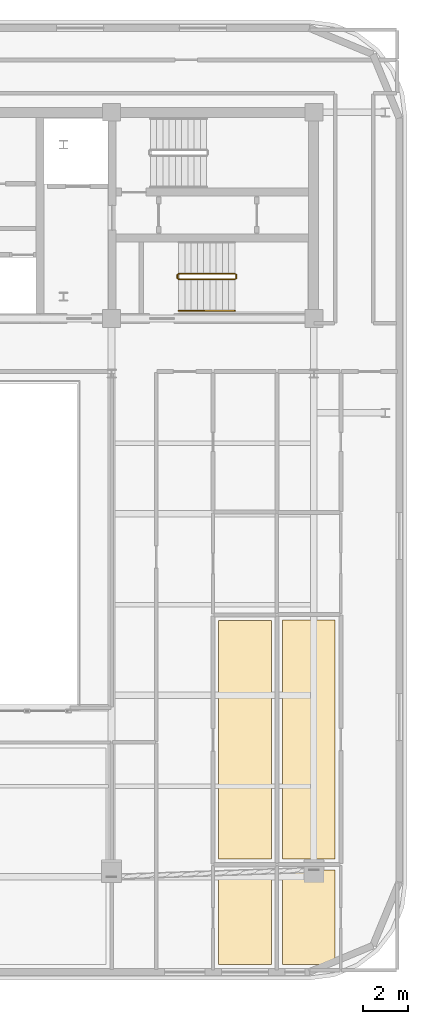
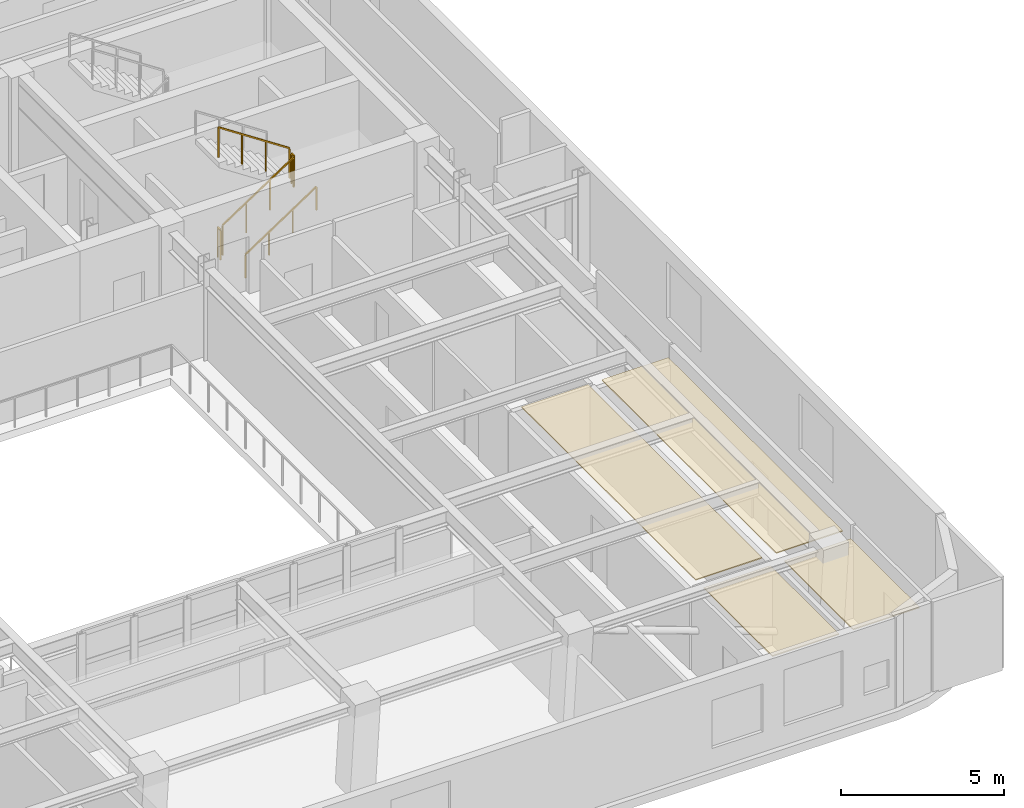
# One storey, part 12 of 13: 5 railings, 4 coverings.
"""IFC4 building model written with IfcOpenShell, lengths in metres."""

from ifc_helpers import new_model, si_unit, direction, frame, origin, origin_2d, place, context, subcontext, project, spatial, polyline, rectangle, outline, extrude, material, layer, layer_set, type_object, element, save


model = new_model("IFC4")

# Units and contexts
model_context = context("Model", 3, precision=1e-05, world=origin(), true_north=direction((0.0, 1.0)))
body_context = subcontext(model_context, "Body", "Model", "MODEL_VIEW")
ifc_project = project(units=[si_unit("LENGTHUNIT", "METRE"), si_unit("AREAUNIT", "SQUARE_METRE"), si_unit("VOLUMEUNIT", "CUBIC_METRE"), si_unit("PLANEANGLEUNIT", "RADIAN"), si_unit("MASSUNIT", "GRAM", prefix="KILO")], contexts=[model_context])

# Site, building, storey
site_placement = place(None, origin())
site = spatial("IfcSite", under=ifc_project, at=site_placement, CompositionType="ELEMENT")
building_placement = place(site_placement, origin())
building = spatial("IfcBuilding", under=site, at=building_placement, Name="Zarnavel Station Tower", CompositionType="ELEMENT")
storey_placement = place(building_placement, frame((0.0, 0.0, 254.699951171875)))
storey = spatial("IfcBuildingStorey", under=building, at=storey_placement, Name="L69", CompositionType="ELEMENT", Elevation=254.699951171875)

# Coverings
ifc_material_1 = material(Name="Perforated Gypsum and Mineral-Wool Acoustic Ceiling", Category="concrete")
ifc_layer = layer(ifc_material_1, 0.0400390625)
ifc_layer_set = layer_set([ifc_layer], Name="COV_CEIL_ACOUSTIC")
covering_type = type_object("IfcCoveringType", Name="COV_CEIL_ACOUSTIC", PredefinedType="CEILING", material=ifc_layer_set)
covering_1_placement = place(storey_placement, frame((0.0, 0.0, 3.10009765625)))
element("IfcCovering", 1, at=covering_1_placement, inside=storey, type_object=covering_type, Name="L69 UE1B1 Acoustic Ceiling", PredefinedType="CEILING", context=body_context, shape_type="SweptSolid", body=[
    extrude(outline(polyline([(41.137939453125, -1.090087890625), (43.5, -1.090087890625), (43.5, 3.126953125), (41.137939453125, 3.126953125), (41.137939453125, -1.090087890625)])), origin(), (0.0, 0.0, 1.0), 0.0400390625),
])
covering_2_placement = place(storey_placement, frame((0.0, 0.0, 3.10009765625)))
element("IfcCovering", 2, at=covering_2_placement, inside=storey, type_object=covering_type, Name="L69 UE1KT Acoustic Ceiling", PredefinedType="CEILING", context=body_context, shape_type="SweptSolid", body=[
    extrude(outline(polyline([(41.137939453125, 3.626953125), (43.5, 3.626953125), (43.5, 14.30810546875), (41.137939453125, 14.30810546875), (41.137939453125, 3.626953125)])), origin(), (0.0, 0.0, 1.0), 0.0400390625),
])
covering_3_placement = place(storey_placement, frame((0.0, 0.0, 3.10009765625)))
element("IfcCovering", 3, at=covering_3_placement, inside=storey, type_object=covering_type, Name="L69 UE2B1 Acoustic Ceiling", PredefinedType="CEILING", context=body_context, shape_type="SweptSolid", body=[
    extrude(outline(polyline([(44.0, -1.090087890625), (46.35693359375, -1.090087890625), (46.35693359375, 3.135009765625), (44.0, 3.135009765625), (44.0, -1.090087890625)])), origin(), (0.0, 0.0, 1.0), 0.0400390625),
])
covering_4_placement = place(storey_placement, frame((0.0, 0.0, 3.10009765625)))
element("IfcCovering", 4, at=covering_4_placement, inside=storey, type_object=covering_type, Name="L69 UE2KT Acoustic Ceiling", PredefinedType="CEILING", context=body_context, shape_type="SweptSolid", body=[
    extrude(outline(polyline([(44.0, 3.635009765625), (46.35693359375, 3.635009765625), (46.35693359375, 14.3359375), (44.0, 14.3359375), (44.0, 3.635009765625)])), origin(), (0.0, 0.0, 1.0), 0.0400390625),
])

# Railings
ifc_material_2 = material(Name="Painted Steel S355J2 Balustrade", Category="steel")
railing_type_1 = type_object("IfcRailingType", Name="GR_INT_1150", PredefinedType="GUARDRAIL", material=ifc_material_2)
railing_1_placement = place(storey_placement, frame((39.35009765625, 29.570068359375, 0.18505859375)))
element("IfcRailing", 5, at=railing_1_placement, inside=storey, type_object=railing_type_1, Name="L69 ST3 stair guard 1", PredefinedType="GUARDRAIL", context=body_context, shape_type="SweptSolid", body=[
    extrude(rectangle(XDim=0.048095703125, YDim=0.048095703125, at=origin_2d()), frame((0.001708984375, 0.0, 1.126953125), z_axis=(0.834331337432, 0.0, 0.55126329406), x_axis=(0.0, 1.0, 0.0)), (0.0, 0.0, 1.0), 3.016357421875),
    extrude(rectangle(XDim=0.0419921875, YDim=0.0419921875, at=origin_2d()), origin(), (0.0, 0.0, 1.0), 1.101806640625),
    extrude(rectangle(XDim=0.0419921875, YDim=0.0419921875, at=origin_2d()), frame((0.840087890625, 0.0, 0.554931640625)), (0.0, 0.0, 1.0), 1.101806640625),
    extrude(rectangle(XDim=0.0419921875, YDim=0.0419921875, at=origin_2d()), frame((1.679931640625, 0.0, 1.110107421875)), (0.0, 0.0, 1.0), 1.101806640625),
    extrude(rectangle(XDim=0.0419921875, YDim=0.0419921875, at=origin_2d()), frame((2.52001953125, 0.0, 1.6650390625)), (0.0, 0.0, 1.0), 1.101806640625),
])
railing_2_placement = place(storey_placement, frame((41.919921875, 29.6201171875, 1.85009765625)))
element("IfcRailing", 6, at=railing_2_placement, inside=storey, type_object=railing_type_1, Name="L69 ST3 stair guard 2", PredefinedType="GUARDRAIL", context=body_context, shape_type="SweptSolid", body=[
    extrude(rectangle(XDim=0.048095703125, YDim=0.048095703125, at=origin_2d()), frame((0.0, 0.001953125, 1.1259765625), z_axis=(0.0, 1.0, 0.0), x_axis=(-1.0, 0.0, 0.0)), (0.0, 0.0, 1.0), 0.156005859375),
    extrude(rectangle(XDim=0.0419921875, YDim=0.0419921875, at=origin_2d()), origin(), (0.0, 0.0, 1.0), 1.101806640625),
    extrude(rectangle(XDim=0.0419921875, YDim=0.0419921875, at=origin_2d()), frame((0.0, 0.159912109375, 0.0)), (0.0, 0.0, 1.0), 1.101806640625),
])
railing_3_placement = place(storey_placement, frame((41.8701171875, 29.830078125, 2.03515625)))
element("IfcRailing", 7, at=railing_3_placement, inside=storey, type_object=railing_type_1, Name="L69 ST3 stair guard 3", PredefinedType="GUARDRAIL", context=body_context, shape_type="SweptSolid", body=[
    extrude(rectangle(XDim=0.048095703125, YDim=0.048095703125, at=origin_2d()), frame((-0.001708984375, 0.0, 1.126953125), z_axis=(-0.83436851402, 0.0, 0.551207023552), x_axis=(0.0, -1.0, 0.0)), (0.0, 0.0, 1.0), 3.016357421875),
    extrude(rectangle(XDim=0.0419921875, YDim=0.0419921875, at=origin_2d()), origin(), (0.0, 0.0, 1.0), 1.101806640625),
    extrude(rectangle(XDim=0.0419921875, YDim=0.0419921875, at=origin_2d()), frame((-0.840087890625, 0.0, 0.554931640625)), (0.0, 0.0, 1.0), 1.101806640625),
    extrude(rectangle(XDim=0.0419921875, YDim=0.0419921875, at=origin_2d()), frame((-1.679931640625, 0.0, 1.10986328125)), (0.0, 0.0, 1.0), 1.101806640625),
    extrude(rectangle(XDim=0.0419921875, YDim=0.0419921875, at=origin_2d()), frame((-2.52001953125, 0.0, 1.664794921875)), (0.0, 0.0, 1.0), 1.101806640625),
])
railing_4_placement = place(storey_placement, frame((39.300048828125, 29.6201171875, 0.0)))
element("IfcRailing", 8, at=railing_4_placement, inside=storey, type_object=railing_type_1, Name="L69 ST3 stair guard 4", PredefinedType="GUARDRAIL", context=body_context, shape_type="SweptSolid", body=[
    extrude(rectangle(XDim=0.048095703125, YDim=0.048095703125, at=origin_2d()), frame((0.0, 0.001953125, 1.1259765625), z_axis=(0.0, 1.0, 0.0), x_axis=(-1.0, 0.0, 0.0)), (0.0, 0.0, 1.0), 0.156005859375),
    extrude(rectangle(XDim=0.0419921875, YDim=0.0419921875, at=origin_2d()), origin(), (0.0, 0.0, 1.0), 1.101806640625),
    extrude(rectangle(XDim=0.0419921875, YDim=0.0419921875, at=origin_2d()), frame((0.0, 0.159912109375, 0.0)), (0.0, 0.0, 1.0), 1.101806640625),
])
ifc_material_3 = material(Name="Brushed Stainless Steel S355J2 Handrail", Category="steel")
railing_type_2 = type_object("IfcRailingType", Name="HR_STAIR_900", PredefinedType="HANDRAIL", material=ifc_material_3)
railing_5_placement = place(storey_placement, frame((39.35009765625, 28.169921875, 0.18505859375)))
element("IfcRailing", 9, at=railing_5_placement, inside=storey, type_object=railing_type_2, Name="L69 ST3 stair handrail 1", PredefinedType="HANDRAIL", context=body_context, shape_type="SweptSolid", body=[
    extrude(rectangle(XDim=0.048095703125, YDim=0.048095703125, at=origin_2d()), frame((0.001708984375, 0.0, 0.876953125), z_axis=(0.834331337432, 0.0, 0.55126329406), x_axis=(0.0, 1.0, 0.0)), (0.0, 0.0, 1.0), 3.016357421875),
    extrude(rectangle(XDim=0.0419921875, YDim=0.0419921875, at=origin_2d()), origin(), (0.0, 0.0, 1.0), 0.851806640625),
    extrude(rectangle(XDim=0.0419921875, YDim=0.0419921875, at=origin_2d()), frame((0.840087890625, 0.0, 0.554931640625)), (0.0, 0.0, 1.0), 0.851806640625),
    extrude(rectangle(XDim=0.0419921875, YDim=0.0419921875, at=origin_2d()), frame((1.679931640625, 0.0, 1.110107421875)), (0.0, 0.0, 1.0), 0.851806640625),
    extrude(rectangle(XDim=0.0419921875, YDim=0.0419921875, at=origin_2d()), frame((2.52001953125, 0.0, 1.6650390625)), (0.0, 0.0, 1.0), 0.851806640625),
])

save(model, "model.ifc")
